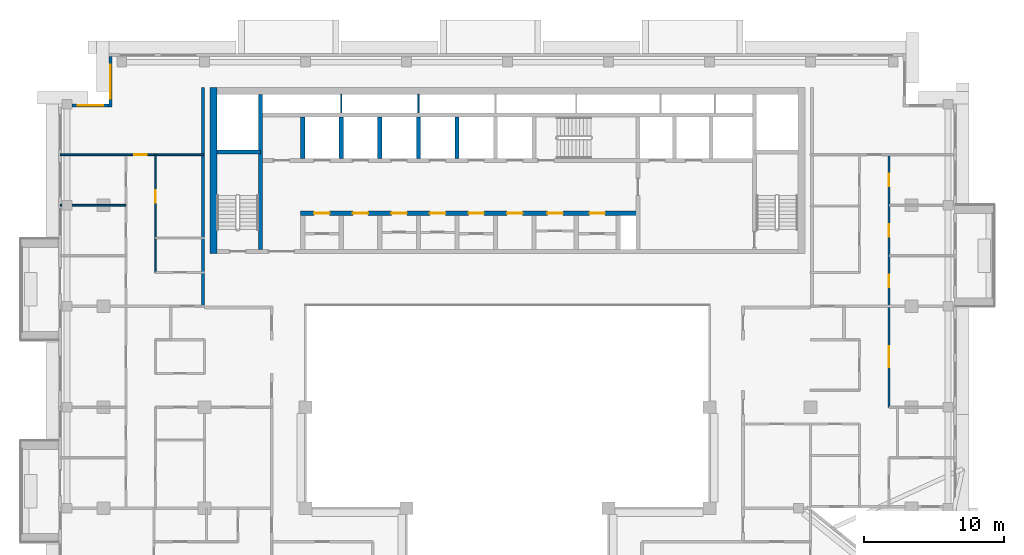
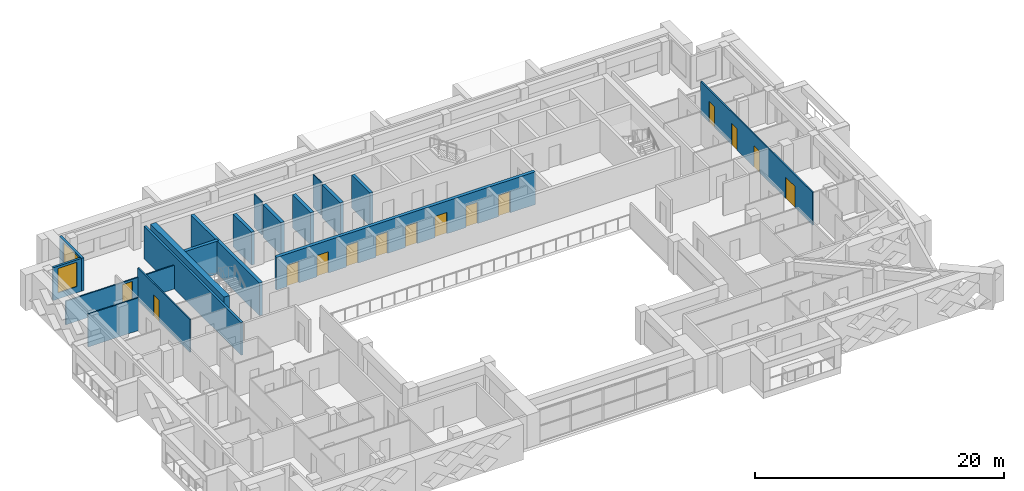
# One storey, part 10 of 19: 18 walls, 14 doors, 2 windows, 16 openings.
"""IFC4 building model written with IfcOpenShell, lengths in metres."""

from ifc_helpers import new_model, si_unit, direction, frame, frame_2d, origin, place, context, subcontext, project, spatial, rectangle, extrude, material, layer, layer_set, type_object, element, fill, save


model = new_model("IFC4")

# Units and contexts
model_context = context("Model", 3, precision=1e-05, world=origin(), true_north=direction((0.0, 1.0)))
body_context = subcontext(model_context, "Body", "Model", "MODEL_VIEW")
ifc_project = project(units=[si_unit("LENGTHUNIT", "METRE"), si_unit("AREAUNIT", "SQUARE_METRE"), si_unit("VOLUMEUNIT", "CUBIC_METRE"), si_unit("PLANEANGLEUNIT", "RADIAN"), si_unit("MASSUNIT", "GRAM", prefix="KILO")], contexts=[model_context])

# Site, building, storey
site_placement = place(None, origin())
site = spatial("IfcSite", under=ifc_project, at=site_placement, CompositionType="ELEMENT")
building_placement = place(site_placement, origin())
building = spatial("IfcBuilding", under=site, at=building_placement, Name="Saffron Iwan Residences", CompositionType="ELEMENT")
storey_placement = place(building_placement, frame((0.0, 0.0, 229.0)))
storey = spatial("IfcBuildingStorey", under=building, at=storey_placement, Name="L61", CompositionType="ELEMENT", Elevation=229.0)

# Wall, opening, window
ifc_material_1 = material(Name="Concrete C40/50", Category="concrete")
ifc_layer_1 = layer(ifc_material_1, 0.199951171875)
ifc_layer_set_1 = layer_set([ifc_layer_1], Name="Concrete C40/50")
wall_type_1 = type_object("IfcWallType", Name="EXTERNAL WALL 200", PredefinedType="SOLIDWALL", material=ifc_layer_set_1)
wall_1_placement = place(storey_placement, frame((22.10009765625, 80.199951171875, 0.0), z_axis=(0.0, 0.0, 1.0), x_axis=(0.0, -1.0, 0.0)))
wall_1 = element("IfcWall", 1, at=wall_1_placement, inside=storey, type_object=wall_type_1, Name="External wall L61 F6.0", PredefinedType="SOLIDWALL", context=body_context, shape_type="SweptSolid", body=[
    extrude(rectangle(XDim=3.599853515625, YDim=0.199951171875, at=frame_2d((1.7998046875, 0.0))), origin(), (0.0, 0.0, 1.0), 3.219970703125),
])
opening_1_placement = place(wall_1_placement, frame((0.60009765625, 0.0, 0.60009765625)))
opening_1 = element("IfcOpeningElement", 2, at=opening_1_placement, cuts=wall_1, Name="Opening W1", PredefinedType="OPENING", context=body_context, shape_type="SweptSolid", body=[
    extrude(rectangle(XDim=2.39990234375, YDim=2.39990234375, at=frame_2d((1.199951171875, 1.199951171875))), frame((0.0, 0.10986328125, 0.0), z_axis=(0.0, -1.0, 0.0), x_axis=(1.0, 0.0, 0.0)), (0.0, 0.0, 1.0), 0.219970703125),
])
ifc_material_2 = material(Name="Clear glass, laminated double glazed", Category="glass")
window_type_1 = type_object("IfcWindowType", Name="WINDOW 2400 x 2400", PartitioningType="DOUBLE_PANEL_VERTICAL", PredefinedType="WINDOW", material=ifc_material_2)
window_1_placement = place(opening_1_placement, origin())
window_1 = element("IfcWindow", 3, at=window_1_placement, inside=storey, type_object=window_type_1, Name="Window L61 F6.0", OverallHeight=2.39990234375, OverallWidth=2.39990234375, PartitioningType="DOUBLE_PANEL_VERTICAL", PredefinedType="WINDOW", context=body_context, shape_type="SweptSolid", body=[
    extrude(rectangle(XDim=2.39990234375, YDim=2.39990234375, at=frame_2d((1.199951171875, 1.199951171875))), frame((0.0, 0.030029296875, 0.0), z_axis=(0.0, -1.0, 0.0), x_axis=(1.0, 0.0, 0.0)), (0.0, 0.0, 1.0), 0.06005859375),
])
fill(opening_1, window_1)

wall_2_placement = place(storey_placement, frame((22.0, 76.699951171875, 0.0), z_axis=(0.0, 0.0, 1.0), x_axis=(-1.0, 0.0, 0.0)))
wall_2 = element("IfcWall", 4, at=wall_2_placement, inside=storey, type_object=wall_type_1, Name="External wall L61 F7.0", PredefinedType="SOLIDWALL", context=body_context, shape_type="SweptSolid", body=[
    extrude(rectangle(XDim=2.64990234375, YDim=0.199951171875, at=frame_2d((1.324951171875, 0.0))), origin(), (0.0, 0.0, 1.0), 3.219970703125),
])
opening_2_placement = place(wall_2_placement, frame((0.425048828125, 0.0, 0.60009765625)))
opening_2 = element("IfcOpeningElement", 5, at=opening_2_placement, cuts=wall_2, Name="Opening W8", PredefinedType="OPENING", context=body_context, shape_type="SweptSolid", body=[
    extrude(rectangle(XDim=1.800048828125, YDim=2.39990234375, at=frame_2d((0.89990234375, 1.199951171875))), frame((0.0, 0.10986328125, 0.0), z_axis=(0.0, -1.0, 0.0), x_axis=(1.0, 0.0, 0.0)), (0.0, 0.0, 1.0), 0.219970703125),
])
window_type_2 = type_object("IfcWindowType", Name="WINDOW 1800 x 2400", PartitioningType="DOUBLE_PANEL_VERTICAL", PredefinedType="WINDOW", material=ifc_material_2)
window_2_placement = place(opening_2_placement, origin())
window_2 = element("IfcWindow", 6, at=window_2_placement, inside=storey, type_object=window_type_2, Name="Window L61 F7.0", OverallHeight=2.39990234375, OverallWidth=1.800048828125, PartitioningType="DOUBLE_PANEL_VERTICAL", PredefinedType="WINDOW", context=body_context, shape_type="SweptSolid", body=[
    extrude(rectangle(XDim=1.800048828125, YDim=2.39990234375, at=frame_2d((0.89990234375, 1.199951171875))), frame((0.0, 0.030029296875, 0.0), z_axis=(0.0, -1.0, 0.0), x_axis=(1.0, 0.0, 0.0)), (0.0, 0.0, 1.0), 0.06005859375),
])
fill(opening_2, window_2)

# Wall
ifc_material_3 = material(Name="Gypsum board partition")
ifc_layer_2 = layer(ifc_material_3, 0.1201171875)
ifc_layer_set_2 = layer_set([ifc_layer_2], Name="Gypsum board partition")
wall_type_2 = type_object("IfcWallType", Name="Flat partition 120", PredefinedType="PARTITIONING", material=ifc_layer_set_2)
wall_3_placement = place(storey_placement, frame((18.52490234375, 69.60009765625, 0.0), z_axis=(0.0, 0.0, 1.0), x_axis=(1.0, 0.0, 0.0)))
element("IfcWall", 7, at=wall_3_placement, inside=storey, type_object=wall_type_2, Name="W-L61-PART-h69.6-18.525", PredefinedType="PARTITIONING", context=body_context, shape_type="SweptSolid", body=[
    extrude(rectangle(XDim=4.675048828125, YDim=0.1201171875, at=frame_2d((2.33740234375, 0.0))), origin(), (0.0, 0.0, 1.0), 3.219970703125),
])

# Wall, opening, door
wall_4_placement = place(storey_placement, frame((18.52490234375, 73.199951171875, 0.0), z_axis=(0.0, 0.0, 1.0), x_axis=(1.0, 0.0, 0.0)))
wall_4 = element("IfcWall", 8, at=wall_4_placement, inside=storey, type_object=wall_type_2, Name="W-L61-PART-h73.2-18.525", PredefinedType="PARTITIONING", context=body_context, shape_type="SweptSolid", body=[
    extrude(rectangle(XDim=10.275146484375, YDim=0.1201171875, at=frame_2d((5.1376953125, 0.0))), origin(), (0.0, 0.0, 1.0), 2.320068359375),
])
opening_3_placement = place(wall_4_placement, frame((5.27490234375, 0.0, 0.0)))
opening_3 = element("IfcOpeningElement", 9, at=opening_3_placement, cuts=wall_4, Name="Opening FD2", PredefinedType="OPENING", context=body_context, shape_type="SweptSolid", body=[
    extrude(rectangle(XDim=0.89990234375, YDim=2.10009765625, at=frame_2d((0.449951171875, 1.050048828125))), frame((0.0, 0.070068359375, 0.0), z_axis=(0.0, -1.0, 0.0), x_axis=(1.0, 0.0, 0.0)), (0.0, 0.0, 1.0), 0.14013671875),
])
ifc_material_4 = material(Name="Timber door", Category="wood")
door_type_1 = type_object("IfcDoorType", Name="Flat door 900", OperationType="NOTDEFINED", PredefinedType="DOOR", material=ifc_material_4)
door_1_placement = place(opening_3_placement, origin())
door_1 = element("IfcDoor", 10, at=door_1_placement, inside=storey, type_object=door_type_1, Name="Door L61-029", OperationType="SINGLE_SWING_LEFT", OverallHeight=2.10009765625, OverallWidth=0.89990234375, PredefinedType="DOOR", context=body_context, shape_type="SweptSolid", body=[
    extrude(rectangle(XDim=0.89990234375, YDim=2.10009765625, at=frame_2d((0.449951171875, 1.050048828125))), frame((0.0, 0.02490234375, 0.0), z_axis=(0.0, -1.0, 0.0), x_axis=(1.0, 0.0, 0.0)), (0.0, 0.0, 1.0), 0.050048828125),
])
fill(opening_3, door_1)

wall_5_placement = place(storey_placement, frame((25.300048828125, 64.800048828125, 0.0), z_axis=(0.0, 0.0, 1.0), x_axis=(0.0, 1.0, 0.0)))
wall_5 = element("IfcWall", 11, at=wall_5_placement, inside=storey, type_object=wall_type_2, Name="W-L61-PART-v25.3-64.8", PredefinedType="PARTITIONING", context=body_context, shape_type="SweptSolid", body=[
    extrude(rectangle(XDim=8.39990234375, YDim=0.1201171875, at=frame_2d((4.199951171875, 0.0))), origin(), (0.0, 0.0, 1.0), 3.219970703125),
])
opening_4_placement = place(wall_5_placement, frame((4.97509765625, 0.0, 0.0)))
opening_4 = element("IfcOpeningElement", 12, at=opening_4_placement, cuts=wall_5, Name="Opening FD2", PredefinedType="OPENING", context=body_context, shape_type="SweptSolid", body=[
    extrude(rectangle(XDim=0.89990234375, YDim=2.10009765625, at=frame_2d((0.449951171875, 1.050048828125))), frame((0.0, 0.070068359375, 0.0), z_axis=(0.0, -1.0, 0.0), x_axis=(1.0, 0.0, 0.0)), (0.0, 0.0, 1.0), 0.14013671875),
])
door_2_placement = place(opening_4_placement, origin())
door_2 = element("IfcDoor", 13, at=door_2_placement, inside=storey, type_object=door_type_1, Name="Door L61-031", OperationType="SINGLE_SWING_LEFT", OverallHeight=2.10009765625, OverallWidth=0.89990234375, PredefinedType="DOOR", context=body_context, shape_type="SweptSolid", body=[
    extrude(rectangle(XDim=0.89990234375, YDim=2.10009765625, at=frame_2d((0.449951171875, 1.050048828125))), frame((0.0, 0.02490234375, 0.0), z_axis=(0.0, -1.0, 0.0), x_axis=(1.0, 0.0, 0.0)), (0.0, 0.0, 1.0), 0.050048828125),
])
fill(opening_4, door_2)

# Wall, openings, doors
wall_6_placement = place(storey_placement, frame((77.60009765625, 55.199951171875, 0.0), z_axis=(0.0, 0.0, 1.0), x_axis=(0.0, 1.0, 0.0)))
wall_6 = element("IfcWall", 14, at=wall_6_placement, inside=storey, type_object=wall_type_2, Name="W-L61-PART-v77.6-55.2", PredefinedType="PARTITIONING", context=body_context, shape_type="SweptSolid", body=[
    extrude(rectangle(XDim=18.0, YDim=0.1201171875, at=frame_2d((9.0, 0.0))), origin(), (0.0, 0.0, 1.0), 3.219970703125),
])
opening_5_placement = place(wall_6_placement, frame((2.85009765625, 0.0, 0.0)))
opening_5 = element("IfcOpeningElement", 15, at=opening_5_placement, cuts=wall_6, Name="Opening FD4", PredefinedType="OPENING", context=body_context, shape_type="SweptSolid", body=[
    extrude(rectangle(XDim=1.5, YDim=2.10009765625, at=frame_2d((0.75, 1.050048828125))), frame((0.0, 0.070068359375, 0.0), z_axis=(0.0, -1.0, 0.0), x_axis=(1.0, 0.0, 0.0)), (0.0, 0.0, 1.0), 0.14013671875),
])
opening_6_placement = place(wall_6_placement, frame((8.550048828125, 0.0, 0.0)))
opening_6 = element("IfcOpeningElement", 16, at=opening_6_placement, cuts=wall_6, Name="Opening FD2", PredefinedType="OPENING", context=body_context, shape_type="SweptSolid", body=[
    extrude(rectangle(XDim=0.89990234375, YDim=2.10009765625, at=frame_2d((0.449951171875, 1.050048828125))), frame((0.0, 0.070068359375, 0.0), z_axis=(0.0, -1.0, 0.0), x_axis=(1.0, 0.0, 0.0)), (0.0, 0.0, 1.0), 0.14013671875),
])
opening_7_placement = place(wall_6_placement, frame((12.14990234375, 0.0, 0.0)))
opening_7 = element("IfcOpeningElement", 17, at=opening_7_placement, cuts=wall_6, Name="Opening FD2", PredefinedType="OPENING", context=body_context, shape_type="SweptSolid", body=[
    extrude(rectangle(XDim=0.89990234375, YDim=2.10009765625, at=frame_2d((0.449951171875, 1.050048828125))), frame((0.0, 0.070068359375, 0.0), z_axis=(0.0, -1.0, 0.0), x_axis=(1.0, 0.0, 0.0)), (0.0, 0.0, 1.0), 0.14013671875),
])
opening_8_placement = place(wall_6_placement, frame((15.75, 0.0, 0.0)))
opening_8 = element("IfcOpeningElement", 18, at=opening_8_placement, cuts=wall_6, Name="Opening FD2", PredefinedType="OPENING", context=body_context, shape_type="SweptSolid", body=[
    extrude(rectangle(XDim=0.89990234375, YDim=2.10009765625, at=frame_2d((0.449951171875, 1.050048828125))), frame((0.0, 0.070068359375, 0.0), z_axis=(0.0, -1.0, 0.0), x_axis=(1.0, 0.0, 0.0)), (0.0, 0.0, 1.0), 0.14013671875),
])
door_type_2 = type_object("IfcDoorType", Name="Double door 1500", OperationType="NOTDEFINED", PredefinedType="DOOR", material=ifc_material_4)
door_3_placement = place(opening_5_placement, origin())
door_3 = element("IfcDoor", 19, at=door_3_placement, inside=storey, type_object=door_type_2, Name="Door L61-019", OperationType="SINGLE_SWING_LEFT", OverallHeight=2.10009765625, OverallWidth=1.5, PredefinedType="DOOR", context=body_context, shape_type="SweptSolid", body=[
    extrude(rectangle(XDim=1.5, YDim=2.10009765625, at=frame_2d((0.75, 1.050048828125))), frame((0.0, 0.02490234375, 0.0), z_axis=(0.0, -1.0, 0.0), x_axis=(1.0, 0.0, 0.0)), (0.0, 0.0, 1.0), 0.050048828125),
])
fill(opening_5, door_3)
door_4_placement = place(opening_6_placement, origin())
door_4 = element("IfcDoor", 20, at=door_4_placement, inside=storey, type_object=door_type_1, Name="Door L61-034", OperationType="SINGLE_SWING_LEFT", OverallHeight=2.10009765625, OverallWidth=0.89990234375, PredefinedType="DOOR", context=body_context, shape_type="SweptSolid", body=[
    extrude(rectangle(XDim=0.89990234375, YDim=2.10009765625, at=frame_2d((0.449951171875, 1.050048828125))), frame((0.0, 0.02490234375, 0.0), z_axis=(0.0, -1.0, 0.0), x_axis=(1.0, 0.0, 0.0)), (0.0, 0.0, 1.0), 0.050048828125),
])
fill(opening_6, door_4)
door_5_placement = place(opening_7_placement, origin())
door_5 = element("IfcDoor", 21, at=door_5_placement, inside=storey, type_object=door_type_1, Name="Door L61-035", OperationType="SINGLE_SWING_LEFT", OverallHeight=2.10009765625, OverallWidth=0.89990234375, PredefinedType="DOOR", context=body_context, shape_type="SweptSolid", body=[
    extrude(rectangle(XDim=0.89990234375, YDim=2.10009765625, at=frame_2d((0.449951171875, 1.050048828125))), frame((0.0, 0.02490234375, 0.0), z_axis=(0.0, -1.0, 0.0), x_axis=(1.0, 0.0, 0.0)), (0.0, 0.0, 1.0), 0.050048828125),
])
fill(opening_7, door_5)
door_6_placement = place(opening_8_placement, origin())
door_6 = element("IfcDoor", 22, at=door_6_placement, inside=storey, type_object=door_type_1, Name="Door L61-036", OperationType="SINGLE_SWING_RIGHT", OverallHeight=2.10009765625, OverallWidth=0.89990234375, PredefinedType="DOOR", context=body_context, shape_type="SweptSolid", body=[
    extrude(rectangle(XDim=0.89990234375, YDim=2.10009765625, at=frame_2d((0.449951171875, 1.050048828125))), frame((0.0, 0.02490234375, 0.0), z_axis=(0.0, -1.0, 0.0), x_axis=(1.0, 0.0, 0.0)), (0.0, 0.0, 1.0), 0.050048828125),
])
fill(opening_8, door_6)

# Walls
ifc_material_5 = material(Name="Fire-rated gypsum board wall")
ifc_layer_3 = layer(ifc_material_5, 0.199951171875)
ifc_layer_set_3 = layer_set([ifc_layer_3], Name="Fire-rated gypsum board wall")
wall_type_3 = type_object("IfcWallType", Name="Gallery wall 200", PredefinedType="SOLIDWALL", material=ifc_layer_set_3)
wall_7_placement = place(storey_placement, frame((28.699951171875, 62.39990234375, 0.0), z_axis=(0.0, 0.0, 1.0), x_axis=(0.0, 1.0, 0.0)))
element("IfcWall", 23, at=wall_7_placement, inside=storey, type_object=wall_type_3, Name="W-L61-CORR-v28.8-62.4", PredefinedType="SOLIDWALL", context=body_context, shape_type="SweptSolid", body=[
    extrude(rectangle(XDim=15.60009765625, YDim=0.199951171875, at=frame_2d((7.800048828125, 0.0))), origin(), (0.0, 0.0, 1.0), 3.219970703125),
])
ifc_material_6 = material(Name="Fire-rated plasterboard partition")
ifc_layer_4 = layer(ifc_material_6, 0.10009765625)
ifc_layer_set_4 = layer_set([ifc_layer_4], Name="Fire-rated plasterboard partition")
wall_type_4 = type_object("IfcWallType", Name="Riser partition 100", PredefinedType="PARTITIONING", material=ifc_layer_set_4)
for number, where, z_axis, x_axis, name in (
    (24, (38.550048828125, 76.175048828125, 0.0), (0.0, 0.0, 1.0), (0.0, 1.0, 0.0), "Core partition P07"),
    (25, (44.050048828125, 76.175048828125, 0.0), (0.0, 0.0, 1.0), (0.0, 1.0, 0.0), "Core partition P08"),
):
    element("IfcWall", number, at=place(storey_placement, frame(where, z_axis=z_axis, x_axis=x_axis)), inside=storey, type_object=wall_type_4, Name=name, PredefinedType="PARTITIONING", context=body_context, shape_type="SweptSolid", body=[
        extrude(rectangle(XDim=1.324951171875, YDim=0.10009765625, at=frame_2d((0.66259765625, 0.0))), origin(), (0.0, 0.0, 1.0), 3.219970703125),
    ])

# Wall, openings, doors
ifc_layer_5 = layer(ifc_material_1, 0.300048828125)
ifc_layer_set_5 = layer_set([ifc_layer_5], Name="Concrete C40/50")
wall_type_5 = type_object("IfcWallType", Name="WALL CORE 300 C40/50 3220 HIGH", PredefinedType="SHEAR", material=ifc_layer_set_5)
wall_8_placement = place(storey_placement, frame((35.64990234375, 69.02490234375, 0.0), z_axis=(0.0, 0.0, 1.0), x_axis=(1.0, 0.0, 0.0)))
wall_8 = element("IfcWall", 26, at=wall_8_placement, inside=storey, type_object=wall_type_5, Name="Core wall", PredefinedType="SHEAR", context=body_context, shape_type="SweptSolid", body=[
    extrude(rectangle(XDim=24.050048828125, YDim=0.300048828125, at=frame_2d((12.02490234375, 0.0))), origin(), (0.0, 0.0, 1.0), 3.219970703125),
])
opening_9_placement = place(wall_8_placement, frame((0.97509765625, 0.0, 0.0)))
opening_9 = element("IfcOpeningElement", 27, at=opening_9_placement, cuts=wall_8, Name="Opening SR", PredefinedType="OPENING", context=body_context, shape_type="SweptSolid", body=[
    extrude(rectangle(XDim=1.10009765625, YDim=2.10009765625, at=frame_2d((0.550048828125, 1.050048828125))), frame((0.0, 0.16015625, 0.0), z_axis=(0.0, -1.0, 0.0), x_axis=(1.0, 0.0, 0.0)), (0.0, 0.0, 1.0), 0.320068359375),
])
opening_10_placement = place(wall_8_placement, frame((3.72509765625, 0.0, 0.0)))
opening_10 = element("IfcOpeningElement", 28, at=opening_10_placement, cuts=wall_8, Name="Opening SR", PredefinedType="OPENING", context=body_context, shape_type="SweptSolid", body=[
    extrude(rectangle(XDim=1.10009765625, YDim=2.10009765625, at=frame_2d((0.550048828125, 1.050048828125))), frame((0.0, 0.16015625, 0.0), z_axis=(0.0, -1.0, 0.0), x_axis=(1.0, 0.0, 0.0)), (0.0, 0.0, 1.0), 0.320068359375),
])
opening_11_placement = place(wall_8_placement, frame((6.47509765625, 0.0, 0.0)))
opening_11 = element("IfcOpeningElement", 29, at=opening_11_placement, cuts=wall_8, Name="Opening SR", PredefinedType="OPENING", context=body_context, shape_type="SweptSolid", body=[
    extrude(rectangle(XDim=1.10009765625, YDim=2.10009765625, at=frame_2d((0.550048828125, 1.050048828125))), frame((0.0, 0.16015625, 0.0), z_axis=(0.0, -1.0, 0.0), x_axis=(1.0, 0.0, 0.0)), (0.0, 0.0, 1.0), 0.320068359375),
])
opening_12_placement = place(wall_8_placement, frame((9.22509765625, 0.0, 0.0)))
opening_12 = element("IfcOpeningElement", 30, at=opening_12_placement, cuts=wall_8, Name="Opening SR", PredefinedType="OPENING", context=body_context, shape_type="SweptSolid", body=[
    extrude(rectangle(XDim=1.10009765625, YDim=2.10009765625, at=frame_2d((0.550048828125, 1.050048828125))), frame((0.0, 0.16015625, 0.0), z_axis=(0.0, -1.0, 0.0), x_axis=(1.0, 0.0, 0.0)), (0.0, 0.0, 1.0), 0.320068359375),
])
opening_13_placement = place(wall_8_placement, frame((11.97509765625, 0.0, 0.0)))
opening_13 = element("IfcOpeningElement", 31, at=opening_13_placement, cuts=wall_8, Name="Opening SR", PredefinedType="OPENING", context=body_context, shape_type="SweptSolid", body=[
    extrude(rectangle(XDim=1.10009765625, YDim=2.10009765625, at=frame_2d((0.550048828125, 1.050048828125))), frame((0.0, 0.16015625, 0.0), z_axis=(0.0, -1.0, 0.0), x_axis=(1.0, 0.0, 0.0)), (0.0, 0.0, 1.0), 0.320068359375),
])
opening_14_placement = place(wall_8_placement, frame((14.72509765625, 0.0, 0.0)))
opening_14 = element("IfcOpeningElement", 32, at=opening_14_placement, cuts=wall_8, Name="Opening SR", PredefinedType="OPENING", context=body_context, shape_type="SweptSolid", body=[
    extrude(rectangle(XDim=1.10009765625, YDim=2.10009765625, at=frame_2d((0.550048828125, 1.050048828125))), frame((0.0, 0.16015625, 0.0), z_axis=(0.0, -1.0, 0.0), x_axis=(1.0, 0.0, 0.0)), (0.0, 0.0, 1.0), 0.320068359375),
])
opening_15_placement = place(wall_8_placement, frame((17.60009765625, 0.0, 0.0)))
opening_15 = element("IfcOpeningElement", 33, at=opening_15_placement, cuts=wall_8, Name="Opening SR", PredefinedType="OPENING", context=body_context, shape_type="SweptSolid", body=[
    extrude(rectangle(XDim=1.10009765625, YDim=2.10009765625, at=frame_2d((0.550048828125, 1.050048828125))), frame((0.0, 0.16015625, 0.0), z_axis=(0.0, -1.0, 0.0), x_axis=(1.0, 0.0, 0.0)), (0.0, 0.0, 1.0), 0.320068359375),
])
opening_16_placement = place(wall_8_placement, frame((20.60009765625, 0.0, 0.0)))
opening_16 = element("IfcOpeningElement", 34, at=opening_16_placement, cuts=wall_8, Name="Opening SR", PredefinedType="OPENING", context=body_context, shape_type="SweptSolid", body=[
    extrude(rectangle(XDim=1.10009765625, YDim=2.10009765625, at=frame_2d((0.550048828125, 1.050048828125))), frame((0.0, 0.16015625, 0.0), z_axis=(0.0, -1.0, 0.0), x_axis=(1.0, 0.0, 0.0)), (0.0, 0.0, 1.0), 0.320068359375),
])
ifc_material_7 = material(Name="Steel fire door", Category="steel")
door_type_3 = type_object("IfcDoorType", Name="Service door 1100", OperationType="NOTDEFINED", PredefinedType="DOOR", material=ifc_material_7)
door_7_placement = place(opening_9_placement, origin())
door_7 = element("IfcDoor", 35, at=door_7_placement, inside=storey, type_object=door_type_3, Name="Door Refuse store", OperationType="SINGLE_SWING_RIGHT", OverallHeight=2.10009765625, OverallWidth=1.10009765625, PredefinedType="DOOR", context=body_context, shape_type="SweptSolid", body=[
    extrude(rectangle(XDim=1.10009765625, YDim=2.10009765625, at=frame_2d((0.550048828125, 1.050048828125))), frame((0.0, 0.02490234375, 0.0), z_axis=(0.0, -1.0, 0.0), x_axis=(1.0, 0.0, 0.0)), (0.0, 0.0, 1.0), 0.050048828125),
])
fill(opening_9, door_7)
door_8_placement = place(opening_10_placement, origin())
door_8 = element("IfcDoor", 36, at=door_8_placement, inside=storey, type_object=door_type_3, Name="Door Maintenance store", OperationType="SINGLE_SWING_LEFT", OverallHeight=2.10009765625, OverallWidth=1.10009765625, PredefinedType="DOOR", context=body_context, shape_type="SweptSolid", body=[
    extrude(rectangle(XDim=1.10009765625, YDim=2.10009765625, at=frame_2d((0.550048828125, 1.050048828125))), frame((0.0, 0.02490234375, 0.0), z_axis=(0.0, -1.0, 0.0), x_axis=(1.0, 0.0, 0.0)), (0.0, 0.0, 1.0), 0.050048828125),
])
fill(opening_10, door_8)
door_9_placement = place(opening_11_placement, origin())
door_9 = element("IfcDoor", 37, at=door_9_placement, inside=storey, type_object=door_type_3, Name="Door Linen store", OperationType="SINGLE_SWING_RIGHT", OverallHeight=2.10009765625, OverallWidth=1.10009765625, PredefinedType="DOOR", context=body_context, shape_type="SweptSolid", body=[
    extrude(rectangle(XDim=1.10009765625, YDim=2.10009765625, at=frame_2d((0.550048828125, 1.050048828125))), frame((0.0, 0.02490234375, 0.0), z_axis=(0.0, -1.0, 0.0), x_axis=(1.0, 0.0, 0.0)), (0.0, 0.0, 1.0), 0.050048828125),
])
fill(opening_11, door_9)
door_10_placement = place(opening_12_placement, origin())
door_10 = element("IfcDoor", 38, at=door_10_placement, inside=storey, type_object=door_type_3, Name="Door Pantry", OperationType="SINGLE_SWING_LEFT", OverallHeight=2.10009765625, OverallWidth=1.10009765625, PredefinedType="DOOR", context=body_context, shape_type="SweptSolid", body=[
    extrude(rectangle(XDim=1.10009765625, YDim=2.10009765625, at=frame_2d((0.550048828125, 1.050048828125))), frame((0.0, 0.02490234375, 0.0), z_axis=(0.0, -1.0, 0.0), x_axis=(1.0, 0.0, 0.0)), (0.0, 0.0, 1.0), 0.050048828125),
])
fill(opening_12, door_10)
door_11_placement = place(opening_13_placement, origin())
door_11 = element("IfcDoor", 39, at=door_11_placement, inside=storey, type_object=door_type_3, Name="Door Electrical room", OperationType="SINGLE_SWING_RIGHT", OverallHeight=2.10009765625, OverallWidth=1.10009765625, PredefinedType="DOOR", context=body_context, shape_type="SweptSolid", body=[
    extrude(rectangle(XDim=1.10009765625, YDim=2.10009765625, at=frame_2d((0.550048828125, 1.050048828125))), frame((0.0, 0.02490234375, 0.0), z_axis=(0.0, -1.0, 0.0), x_axis=(1.0, 0.0, 0.0)), (0.0, 0.0, 1.0), 0.050048828125),
])
fill(opening_13, door_11)
door_12_placement = place(opening_14_placement, origin())
door_12 = element("IfcDoor", 40, at=door_12_placement, inside=storey, type_object=door_type_3, Name="Door Luggage store", OperationType="SINGLE_SWING_LEFT", OverallHeight=2.10009765625, OverallWidth=1.10009765625, PredefinedType="DOOR", context=body_context, shape_type="SweptSolid", body=[
    extrude(rectangle(XDim=1.10009765625, YDim=2.10009765625, at=frame_2d((0.550048828125, 1.050048828125))), frame((0.0, 0.02490234375, 0.0), z_axis=(0.0, -1.0, 0.0), x_axis=(1.0, 0.0, 0.0)), (0.0, 0.0, 1.0), 0.050048828125),
])
fill(opening_14, door_12)
door_13_placement = place(opening_15_placement, origin())
door_13 = element("IfcDoor", 41, at=door_13_placement, inside=storey, type_object=door_type_3, Name="Door Furniture store", OperationType="SINGLE_SWING_RIGHT", OverallHeight=2.10009765625, OverallWidth=1.10009765625, PredefinedType="DOOR", context=body_context, shape_type="SweptSolid", body=[
    extrude(rectangle(XDim=1.10009765625, YDim=2.10009765625, at=frame_2d((0.550048828125, 1.050048828125))), frame((0.0, 0.02490234375, 0.0), z_axis=(0.0, -1.0, 0.0), x_axis=(1.0, 0.0, 0.0)), (0.0, 0.0, 1.0), 0.050048828125),
])
fill(opening_15, door_13)
door_14_placement = place(opening_16_placement, origin())
door_14 = element("IfcDoor", 42, at=door_14_placement, inside=storey, type_object=door_type_3, Name="Door Housekeeping store", OperationType="SINGLE_SWING_RIGHT", OverallHeight=2.10009765625, OverallWidth=1.10009765625, PredefinedType="DOOR", context=body_context, shape_type="SweptSolid", body=[
    extrude(rectangle(XDim=1.10009765625, YDim=2.10009765625, at=frame_2d((0.550048828125, 1.050048828125))), frame((0.0, 0.02490234375, 0.0), z_axis=(0.0, -1.0, 0.0), x_axis=(1.0, 0.0, 0.0)), (0.0, 0.0, 1.0), 0.050048828125),
])
fill(opening_16, door_14)

# Walls
wall_9_placement = place(storey_placement, frame((29.699951171875, 73.39990234375, 0.0), z_axis=(0.0, 0.0, 1.0), x_axis=(1.0, 0.0, 0.0)))
element("IfcWall", 43, at=wall_9_placement, inside=storey, type_object=wall_type_5, Name="Core wall", PredefinedType="SHEAR", context=body_context, shape_type="SweptSolid", body=[
    extrude(rectangle(XDim=3.10009765625, YDim=0.300048828125, at=frame_2d((1.550048828125, 0.0))), origin(), (0.0, 0.0, 1.0), 3.219970703125),
])
wall_10_placement = place(storey_placement, frame((32.800048828125, 66.449951171875, 0.0), z_axis=(0.0, 0.0, 1.0), x_axis=(0.0, 1.0, 0.0)))
element("IfcWall", 44, at=wall_10_placement, inside=storey, type_object=wall_type_5, Name="Core wall", PredefinedType="SHEAR", context=body_context, shape_type="SweptSolid", body=[
    extrude(rectangle(XDim=11.050048828125, YDim=0.300048828125, at=frame_2d((5.52490234375, 0.0))), origin(), (0.0, 0.0, 1.0), 3.219970703125),
])
for number, where, z_axis, x_axis, name in (
    (45, (35.800048828125, 72.925048828125, 0.0), (0.0, 0.0, 1.0), (0.0, 1.0, 0.0), "Core wall"),
    (46, (38.550048828125, 72.925048828125, 0.0), (0.0, 0.0, 1.0), (0.0, 1.0, 0.0), "Core wall"),
    (47, (41.300048828125, 72.925048828125, 0.0), (0.0, 0.0, 1.0), (0.0, 1.0, 0.0), "Core wall"),
    (48, (44.050048828125, 72.925048828125, 0.0), (0.0, 0.0, 1.0), (0.0, 1.0, 0.0), "Core wall"),
    (49, (46.800048828125, 72.925048828125, 0.0), (0.0, 0.0, 1.0), (0.0, 1.0, 0.0), "Core wall"),
):
    element("IfcWall", number, at=place(storey_placement, frame(where, z_axis=z_axis, x_axis=x_axis)), inside=storey, type_object=wall_type_5, Name=name, PredefinedType="SHEAR", context=body_context, shape_type="SweptSolid", body=[
        extrude(rectangle(XDim=2.949951171875, YDim=0.300048828125, at=frame_2d((1.47509765625, 0.0))), origin(), (0.0, 0.0, 1.0), 3.219970703125),
    ])
ifc_layer_6 = layer(ifc_material_1, 0.5)
ifc_layer_set_6 = layer_set([ifc_layer_6], Name="Concrete C40/50")
wall_type_6 = type_object("IfcWallType", Name="WALL CORE 500 C40/50 3220 HIGH", PredefinedType="SHEAR", material=ifc_layer_set_6)
wall_11_placement = place(storey_placement, frame((29.449951171875, 66.14990234375, 0.0), z_axis=(0.0, 0.0, 1.0), x_axis=(0.0, 1.0, 0.0)))
element("IfcWall", 50, at=wall_11_placement, inside=storey, type_object=wall_type_6, Name="Core wall", PredefinedType="SHEAR", context=body_context, shape_type="SweptSolid", body=[
    extrude(rectangle(XDim=11.85009765625, YDim=0.5, at=frame_2d((5.925048828125, 0.0))), origin(), (0.0, 0.0, 1.0), 3.219970703125),
])

save(model, "model.ifc")
